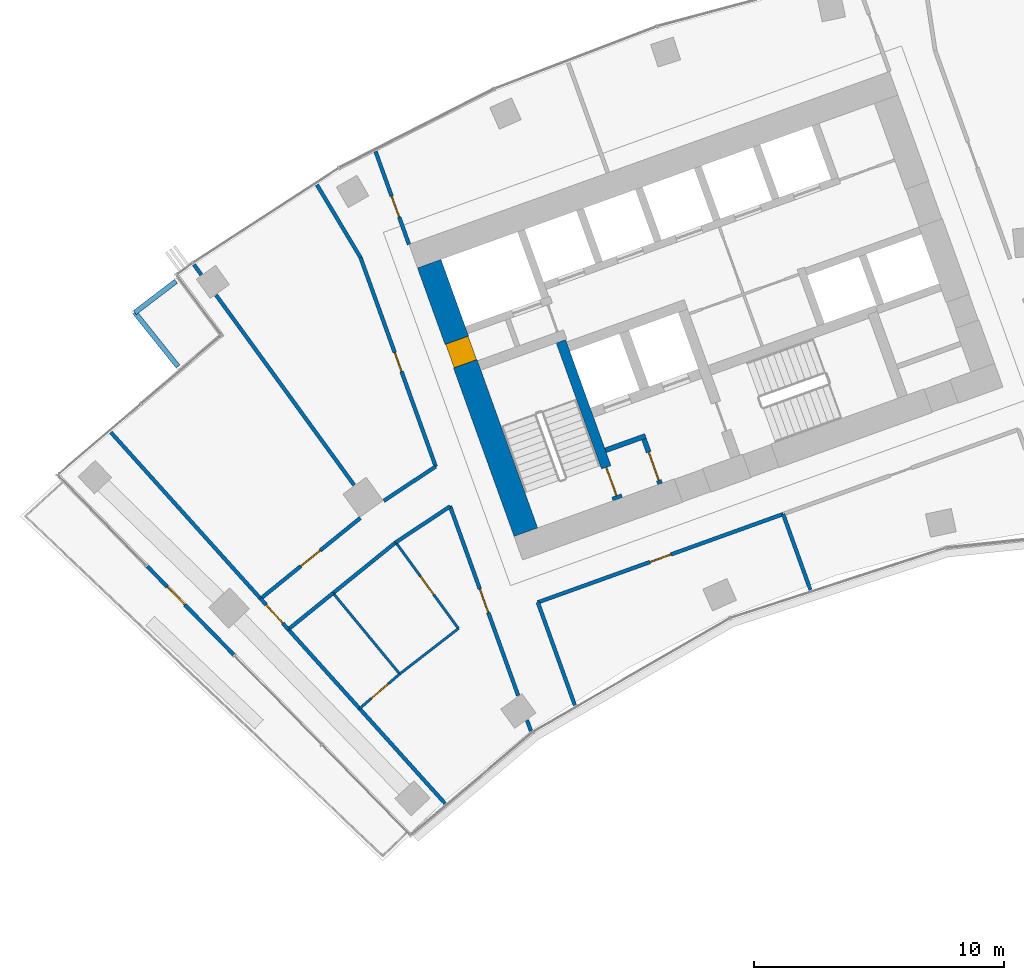
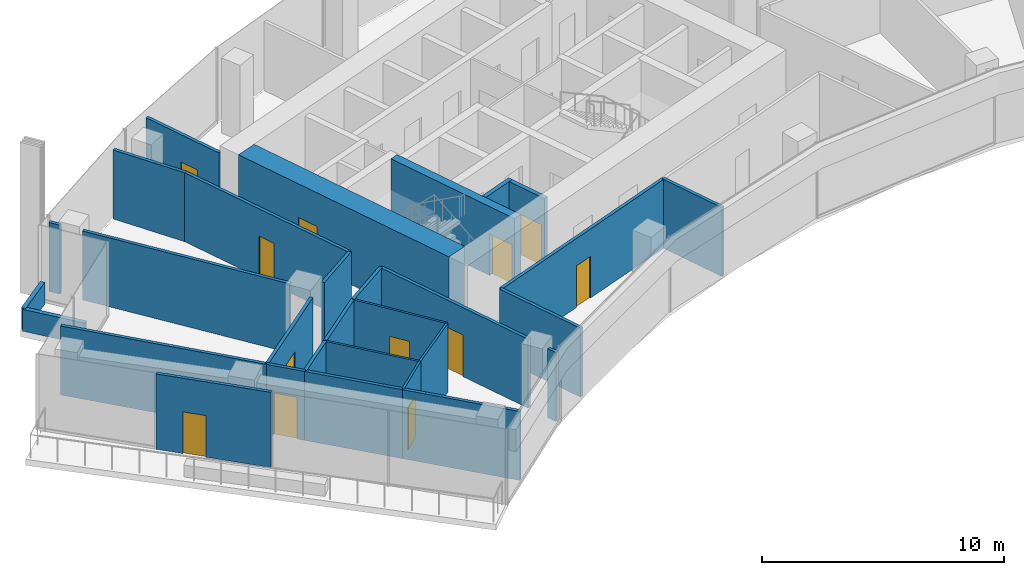
# One storey, part 12 of 20: 30 walls, 12 doors, 12 openings.
"""IFC4 building model written with IfcOpenShell, lengths in metres."""

from ifc_helpers import new_model, si_unit, direction, frame, frame_2d, origin, place, context, subcontext, project, spatial, rectangle, extrude, material, layer, layer_set, type_object, element, fill, save


model = new_model("IFC4")

# Units and contexts
model_context = context("Model", 3, precision=1e-05, world=origin(), true_north=direction((0.0, 1.0)))
body_context = subcontext(model_context, "Body", "Model", "MODEL_VIEW")
ifc_project = project(units=[si_unit("LENGTHUNIT", "METRE"), si_unit("AREAUNIT", "SQUARE_METRE"), si_unit("VOLUMEUNIT", "CUBIC_METRE"), si_unit("PLANEANGLEUNIT", "RADIAN"), si_unit("MASSUNIT", "GRAM", prefix="KILO")], contexts=[model_context])

# Site, building, storey
site_placement = place(None, origin())
site = spatial("IfcSite", under=ifc_project, at=site_placement, CompositionType="ELEMENT")
building_placement = place(site_placement, origin())
building = spatial("IfcBuilding", under=site, at=building_placement, Name="Stone Belt Terrace Tower", CompositionType="ELEMENT")
storey_placement = place(building_placement, frame((0.0, 0.0, 216.199951171875)))
storey = spatial("IfcBuildingStorey", under=building, at=storey_placement, Name="L52", CompositionType="ELEMENT", Elevation=216.199951171875)

# Wall, opening, door
ifc_material_1 = material(Name="Terracotta coloured glazed ceramic", Category="masonry")
ifc_layer_1 = layer(ifc_material_1, 0.14990234375)
ifc_layer_set_1 = layer_set([ifc_layer_1], Name="Ceramic rain-screen wall 150")
wall_type_1 = type_object("IfcWallType", Name="Ceramic rain-screen wall 150", PredefinedType="SOLIDWALL", material=ifc_layer_set_1)
wall_1_placement = place(storey_placement, frame((-40.947021484375, 41.73828125, 0.0), z_axis=(0.0, 0.0, 1.0), x_axis=(0.699405042801, -0.714725532009, 0.0)))
wall_1 = element("IfcWall", 1, at=wall_1_placement, inside=storey, type_object=wall_type_1, Name="Door wall L52", PredefinedType="SOLIDWALL", context=body_context, shape_type="SweptSolid", body=[
    extrude(rectangle(XDim=4.93994140625, YDim=0.14990234375, at=frame_2d((2.469970703125, 0.0))), origin(), (0.0, 0.0, 1.0), 3.800048828125),
])
opening_1_placement = place(wall_1_placement, frame((1.14990234375, 0.0, 0.0)))
opening_1 = element("IfcOpeningElement", 2, at=opening_1_placement, cuts=wall_1, Name="Opening L52-E01", PredefinedType="OPENING", context=body_context, shape_type="SweptSolid", body=[
    extrude(rectangle(XDim=1.0, YDim=2.10009765625, at=frame_2d((0.5, 1.050048828125))), frame((0.0, 0.0849609375, 0.0), z_axis=(0.0, -1.0, 0.0), x_axis=(1.0, 0.0, 0.0)), (0.0, 0.0, 1.0), 0.169921875),
])
ifc_material_2 = material(Name="Anodised aluminium glazed door", Category="aluminium")
door_type_1 = type_object("IfcDoorType", Name="Terrace door 1000 x 2100", OperationType="NOTDEFINED", PredefinedType="DOOR", material=ifc_material_2)
door_1_placement = place(opening_1_placement, origin())
door_1 = element("IfcDoor", 3, at=door_1_placement, inside=storey, type_object=door_type_1, Name="Terrace door L52", OperationType="SINGLE_SWING_RIGHT", OverallHeight=2.10009765625, OverallWidth=1.0, PredefinedType="DOOR", context=body_context, shape_type="SweptSolid", body=[
    extrude(rectangle(XDim=1.0, YDim=2.10009765625, at=frame_2d((0.5, 1.050048828125))), frame((0.0, 0.02490234375, 0.0), z_axis=(0.0, -1.0, 0.0), x_axis=(1.0, 0.0, 0.0)), (0.0, 0.0, 1.0), 0.050048828125),
])
fill(opening_1, door_1)

ifc_material_3 = material(Name="Concrete B60", Category="concrete")
ifc_layer_2 = layer(ifc_material_3, 1.0)
ifc_layer_set_2 = layer_set([ifc_layer_2], Name="Core wall 1000 B60")
wall_type_2 = type_object("IfcWallType", Name="Core wall 1000 B60", PredefinedType="SHEAR", material=ifc_layer_set_2)
wall_2_placement = place(storey_placement, frame((-25.821044921875, 43.102783203125, 0.0), z_axis=(0.0, 0.0, 1.0), x_axis=(-0.338625431531, 0.940921259788, 0.0)))
wall_2 = element("IfcWall", 4, at=wall_2_placement, inside=storey, type_object=wall_type_2, Name="Core A wall end_a L52", PredefinedType="SHEAR", context=body_context, shape_type="SweptSolid", body=[
    extrude(rectangle(XDim=11.400146484375, YDim=1.0, at=frame_2d((5.7001953125, 0.0))), origin(), (0.0, 0.0, 1.0), 3.800048828125),
])
opening_2_placement = place(wall_2_placement, frame((7.14990234375, 0.0, 0.0)))
opening_2 = element("IfcOpeningElement", 5, at=opening_2_placement, cuts=wall_2, Name="Opening L52-C04", PredefinedType="OPENING", context=body_context, shape_type="SweptSolid", body=[
    extrude(rectangle(XDim=1.0, YDim=2.10009765625, at=frame_2d((0.5, 1.050048828125))), frame((0.0, 0.510009765625, 0.0), z_axis=(0.0, -1.0, 0.0), x_axis=(1.0, 0.0, 0.0)), (0.0, 0.0, 1.0), 1.02001953125),
])
ifc_material_4 = material(Name="Timber door leaf", Category="wood")
door_type_2 = type_object("IfcDoorType", Name="Core room door 1000", OperationType="SINGLE_SWING_LEFT", PredefinedType="DOOR", material=ifc_material_4)
door_2_placement = place(opening_2_placement, origin())
door_2 = element("IfcDoor", 6, at=door_2_placement, inside=storey, type_object=door_type_2, Name="Door to Telecommunications riser room core A", OperationType="SINGLE_SWING_LEFT", OverallHeight=2.10009765625, OverallWidth=1.0, PredefinedType="DOOR", context=body_context, shape_type="SweptSolid", body=[
    extrude(rectangle(XDim=1.0, YDim=2.10009765625, at=frame_2d((0.5, 1.050048828125))), frame((0.0, 0.47021484375, 0.0), z_axis=(0.0, -1.0, 0.0), x_axis=(1.0, 0.0, 0.0)), (0.0, 0.0, 1.0), 0.949951171875),
])
fill(opening_2, door_2)

ifc_material_5 = material(Name="Gypsum board partition")
ifc_layer_3 = layer(ifc_material_5, 0.10009765625)
ifc_layer_set_3 = layer_set([ifc_layer_3], Name="PARTITION 100")
wall_type_3 = type_object("IfcWallType", Name="PARTITION 100", PredefinedType="PARTITIONING", material=ifc_layer_set_3)
wall_3_placement = place(storey_placement, frame((-32.465087890625, 36.055908203125, 0.0), z_axis=(0.0, 0.0, 1.0), x_axis=(0.75756921421, 0.652754843476, 0.0)))
wall_3 = element("IfcWall", 7, at=wall_3_placement, inside=storey, type_object=wall_type_3, Name="L52/wall/i041", PredefinedType="PARTITIONING", context=body_context, shape_type="SweptSolid", body=[
    extrude(rectangle(XDim=2.1171875, YDim=0.10009765625, at=frame_2d((1.05859375, 0.0))), origin(), (0.0, 0.0, 1.0), 3.47998046875),
])
opening_3_placement = place(wall_3_placement, frame((0.608642578125, 0.0, 0.0)))
opening_3 = element("IfcOpeningElement", 8, at=opening_3_placement, cuts=wall_3, Name="Opening D-D3-11", PredefinedType="OPENING", context=body_context, shape_type="SweptSolid", body=[
    extrude(rectangle(XDim=0.89990234375, YDim=2.10009765625, at=frame_2d((0.449951171875, 1.050048828125))), frame((0.0, 0.06005859375, 0.0), z_axis=(0.0, -1.0, 0.0), x_axis=(1.0, 0.0, 0.0)), (0.0, 0.0, 1.0), 0.1201171875),
])
door_type_3 = type_object("IfcDoorType", Name="OFFICE DOOR 900 X 2100", OperationType="NOTDEFINED", PredefinedType="DOOR", material=ifc_material_4)
door_3_placement = place(opening_3_placement, origin())
door_3 = element("IfcDoor", 9, at=door_3_placement, inside=storey, type_object=door_type_3, Name="L52/door/i11", OperationType="SINGLE_SWING_RIGHT", OverallHeight=2.10009765625, OverallWidth=0.89990234375, PredefinedType="DOOR", context=body_context, shape_type="SweptSolid", body=[
    extrude(rectangle(XDim=0.89990234375, YDim=2.10009765625, at=frame_2d((0.449951171875, 1.050048828125))), frame((0.0, 0.02490234375, 0.0), z_axis=(0.0, -1.0, 0.0), x_axis=(1.0, 0.0, 0.0)), (0.0, 0.0, 1.0), 0.050048828125),
])
fill(opening_3, door_3)

# Wall
wall_4_placement = place(storey_placement, frame((-30.861083984375, 37.43798828125, 0.0), z_axis=(0.0, 0.0, 1.0), x_axis=(0.790721134515, 0.612176516562, 0.0)))
element("IfcWall", 10, at=wall_4_placement, inside=storey, type_object=wall_type_3, Name="L52/wall/i042", PredefinedType="PARTITIONING", context=body_context, shape_type="SweptSolid", body=[
    extrude(rectangle(XDim=2.963134765625, YDim=0.10009765625, at=frame_2d((1.4814453125, 0.0))), origin(), (0.0, 0.0, 1.0), 3.47998046875),
])

# Wall, opening, door
wall_5_placement = place(storey_placement, frame((-28.51708984375, 39.2529296875, 0.0), z_axis=(0.0, 0.0, 1.0), x_axis=(-0.587735122858, 0.809053413169, 0.0)))
wall_5 = element("IfcWall", 11, at=wall_5_placement, inside=storey, type_object=wall_type_3, Name="L52/wall/i043", PredefinedType="PARTITIONING", context=body_context, shape_type="SweptSolid", body=[
    extrude(rectangle(XDim=4.2568359375, YDim=0.10009765625, at=frame_2d((2.12841796875, 0.0))), origin(), (0.0, 0.0, 1.0), 3.47998046875),
])
opening_4_placement = place(wall_5_placement, frame((1.678466796875, 0.0, 0.0)))
opening_4 = element("IfcOpeningElement", 12, at=opening_4_placement, cuts=wall_5, Name="Opening D-D3-12", PredefinedType="OPENING", context=body_context, shape_type="SweptSolid", body=[
    extrude(rectangle(XDim=0.89990234375, YDim=2.10009765625, at=frame_2d((0.449951171875, 1.050048828125))), frame((0.0, 0.06005859375, 0.0), z_axis=(0.0, -1.0, 0.0), x_axis=(1.0, 0.0, 0.0)), (0.0, 0.0, 1.0), 0.1201171875),
])
door_4_placement = place(opening_4_placement, origin())
door_4 = element("IfcDoor", 13, at=door_4_placement, inside=storey, type_object=door_type_3, Name="L52/door/i12", OperationType="SINGLE_SWING_RIGHT", OverallHeight=2.10009765625, OverallWidth=0.89990234375, PredefinedType="DOOR", context=body_context, shape_type="SweptSolid", body=[
    extrude(rectangle(XDim=0.89990234375, YDim=2.10009765625, at=frame_2d((0.449951171875, 1.050048828125))), frame((0.0, 0.02490234375, 0.0), z_axis=(0.0, -1.0, 0.0), x_axis=(1.0, 0.0, 0.0)), (0.0, 0.0, 1.0), 0.050048828125),
])
fill(opening_4, door_4)

# Walls
wall_6_placement = place(storey_placement, frame((-33.52392578125, 40.66796875, 0.0), z_axis=(0.0, 0.0, 1.0), x_axis=(0.636113972955, -0.771595109764, 0.0)))
element("IfcWall", 14, at=wall_6_placement, inside=storey, type_object=wall_type_3, Name="L52/wall/i044", PredefinedType="PARTITIONING", context=body_context, shape_type="SweptSolid", body=[
    extrude(rectangle(XDim=4.18603515625, YDim=0.10009765625, at=frame_2d((2.093017578125, 0.0))), origin(), (0.0, 0.0, 1.0), 3.47998046875),
])
ifc_layer_4 = layer(ifc_material_5, 0.14990234375)
ifc_layer_set_4 = layer_set([ifc_layer_4], Name="PARTITION 150 EI 60")
wall_type_4 = type_object("IfcWallType", Name="PARTITION 150 EI 60", PredefinedType="PARTITIONING", material=ifc_layer_set_4)
wall_7_placement = place(storey_placement, frame((-25.344970703125, 40.304931640625, 0.0), z_axis=(0.0, 0.0, 1.0), x_axis=(0.338603151709, -0.94092927771, 0.0)))
element("IfcWall", 15, at=wall_7_placement, inside=storey, type_object=wall_type_4, Name="L52/wall/i001", PredefinedType="PARTITIONING", context=body_context, shape_type="SweptSolid", body=[
    extrude(rectangle(XDim=4.38525390625, YDim=0.14990234375, at=frame_2d((2.192626953125, 0.0))), origin(), (0.0, 0.0, 1.0), 3.47998046875),
])

# Wall, opening, door
wall_8_placement = place(storey_placement, frame((-31.826904296875, 58.314208984375, 0.0), z_axis=(0.0, 0.0, 1.0), x_axis=(0.338542007836, -0.940951278723, 0.0)))
wall_8 = element("IfcWall", 16, at=wall_8_placement, inside=storey, type_object=wall_type_4, Name="L52/wall/i002", PredefinedType="PARTITIONING", context=body_context, shape_type="SweptSolid", body=[
    extrude(rectangle(XDim=3.946044921875, YDim=0.14990234375, at=frame_2d((1.97314453125, 0.0))), origin(), (0.0, 0.0, 1.0), 3.47998046875),
])
opening_5_placement = place(wall_8_placement, frame((1.889892578125, 0.0, 0.0)))
opening_5 = element("IfcOpeningElement", 17, at=opening_5_placement, cuts=wall_8, Name="Opening D-D3-03", PredefinedType="OPENING", context=body_context, shape_type="SweptSolid", body=[
    extrude(rectangle(XDim=0.89990234375, YDim=2.10009765625, at=frame_2d((0.449951171875, 1.050048828125))), frame((0.0, 0.0849609375, 0.0), z_axis=(0.0, -1.0, 0.0), x_axis=(1.0, 0.0, 0.0)), (0.0, 0.0, 1.0), 0.169921875),
])
door_5_placement = place(opening_5_placement, origin())
door_5 = element("IfcDoor", 18, at=door_5_placement, inside=storey, type_object=door_type_3, Name="L52/door/i03", OperationType="SINGLE_SWING_RIGHT", OverallHeight=2.10009765625, OverallWidth=0.89990234375, PredefinedType="DOOR", context=body_context, shape_type="SweptSolid", body=[
    extrude(rectangle(XDim=0.89990234375, YDim=2.10009765625, at=frame_2d((0.449951171875, 1.050048828125))), frame((0.0, 0.02490234375, 0.0), z_axis=(0.0, -1.0, 0.0), x_axis=(1.0, 0.0, 0.0)), (0.0, 0.0, 1.0), 0.050048828125),
])
fill(opening_5, door_5)

# Wall
wall_9_placement = place(storey_placement, frame((-25.619140625, 35.159912109375, 0.0), z_axis=(0.0, 0.0, 1.0), x_axis=(-0.338377097513, 0.941010594988, 0.0)))
element("IfcWall", 19, at=wall_9_placement, inside=storey, type_object=wall_type_4, Name="L52/wall/i003", PredefinedType="PARTITIONING", context=body_context, shape_type="SweptSolid", body=[
    extrude(rectangle(XDim=0.45458984375, YDim=0.14990234375, at=frame_2d((0.227294921875, 0.0))), origin(), (0.0, 0.0, 1.0), 3.47998046875),
])

# Wall, opening, door
wall_10_placement = place(storey_placement, frame((-26.129150390625, 36.577392578125, 0.0), z_axis=(0.0, 0.0, 1.0), x_axis=(-0.338625862553, 0.940921104668, 0.0)))
wall_10 = element("IfcWall", 20, at=wall_10_placement, inside=storey, type_object=wall_type_4, Name="L52/wall/i004", PredefinedType="PARTITIONING", context=body_context, shape_type="SweptSolid", body=[
    extrude(rectangle(XDim=8.03515625, YDim=0.14990234375, at=frame_2d((4.017578125, 0.0))), origin(), (0.0, 0.0, 1.0), 3.47998046875),
])
opening_6_placement = place(wall_10_placement, frame((3.517578125, 0.0, 0.0)))
opening_6 = element("IfcOpeningElement", 21, at=opening_6_placement, cuts=wall_10, Name="Opening D-D3-10", PredefinedType="OPENING", context=body_context, shape_type="SweptSolid", body=[
    extrude(rectangle(XDim=1.0, YDim=2.10009765625, at=frame_2d((0.5, 1.050048828125))), frame((0.0, 0.0849609375, 0.0), z_axis=(0.0, -1.0, 0.0), x_axis=(1.0, 0.0, 0.0)), (0.0, 0.0, 1.0), 0.169921875),
])
ifc_material_6 = material(Name="Timber fire door leaf", Category="wood")
door_type_4 = type_object("IfcDoorType", Name="TENANCY ENTRANCE DOOR 1000 X 2100", OperationType="NOTDEFINED", PredefinedType="DOOR", material=ifc_material_6)
door_6_placement = place(opening_6_placement, origin())
door_6 = element("IfcDoor", 22, at=door_6_placement, inside=storey, type_object=door_type_4, Name="L52/door/i10", OperationType="SINGLE_SWING_RIGHT", OverallHeight=2.10009765625, OverallWidth=1.0, PredefinedType="DOOR", context=body_context, shape_type="SweptSolid", body=[
    extrude(rectangle(XDim=1.0, YDim=2.10009765625, at=frame_2d((0.5, 1.050048828125))), frame((0.0, 0.02490234375, 0.0), z_axis=(0.0, -1.0, 0.0), x_axis=(1.0, 0.0, 0.0)), (0.0, 0.0, 1.0), 0.050048828125),
])
fill(opening_6, door_6)

wall_11_placement = place(storey_placement, frame((-29.4208984375, 45.721923828125, 0.0), z_axis=(0.0, 0.0, 1.0), x_axis=(-0.338648394699, 0.940912995323, 0.0)))
wall_11 = element("IfcWall", 23, at=wall_11_placement, inside=storey, type_object=wall_type_4, Name="L52/wall/i005", PredefinedType="PARTITIONING", context=body_context, shape_type="SweptSolid", body=[
    extrude(rectangle(XDim=8.879638671875, YDim=0.14990234375, at=frame_2d((4.43994140625, 0.0))), origin(), (0.0, 0.0, 1.0), 3.47998046875),
])
opening_7_placement = place(wall_11_placement, frame((4.039794921875, 0.0, 0.0)))
opening_7 = element("IfcOpeningElement", 24, at=opening_7_placement, cuts=wall_11, Name="Opening D-D3-13", PredefinedType="OPENING", context=body_context, shape_type="SweptSolid", body=[
    extrude(rectangle(XDim=0.800048828125, YDim=2.10009765625, at=frame_2d((0.39990234375, 1.050048828125))), frame((0.0, 0.0849609375, 0.0), z_axis=(0.0, -1.0, 0.0), x_axis=(1.0, 0.0, 0.0)), (0.0, 0.0, 1.0), 0.169921875),
])
door_type_5 = type_object("IfcDoorType", Name="STORE DOOR 800 X 2100", OperationType="NOTDEFINED", PredefinedType="DOOR", material=ifc_material_4)
door_7_placement = place(opening_7_placement, origin())
door_7 = element("IfcDoor", 25, at=door_7_placement, inside=storey, type_object=door_type_5, Name="L52/door/i13", OperationType="SINGLE_SWING_LEFT", OverallHeight=2.10009765625, OverallWidth=0.800048828125, PredefinedType="DOOR", context=body_context, shape_type="SweptSolid", body=[
    extrude(rectangle(XDim=0.800048828125, YDim=2.10009765625, at=frame_2d((0.39990234375, 1.050048828125))), frame((0.0, 0.02490234375, 0.0), z_axis=(0.0, -1.0, 0.0), x_axis=(1.0, 0.0, 0.0)), (0.0, 0.0, 1.0), 0.050048828125),
])
fill(opening_7, door_7)

# Wall
wall_12_placement = place(storey_placement, frame((-32.427978515625, 54.076904296875, 0.0), z_axis=(0.0, 0.0, 1.0), x_axis=(-0.514199724078, 0.857670475042, 0.0)))
element("IfcWall", 26, at=wall_12_placement, inside=storey, type_object=wall_type_4, Name="L52/wall/i006", PredefinedType="PARTITIONING", context=body_context, shape_type="SweptSolid", body=[
    extrude(rectangle(XDim=3.396240234375, YDim=0.14990234375, at=frame_2d((1.6982421875, 0.0))), origin(), (0.0, 0.0, 1.0), 3.47998046875),
])

# Wall, opening, door
wall_13_placement = place(storey_placement, frame((-15.537109375, 43.827880859375, 0.0), z_axis=(0.0, 0.0, 1.0), x_axis=(-0.940927721448, -0.338607476306, 0.0)))
wall_13 = element("IfcWall", 27, at=wall_13_placement, inside=storey, type_object=wall_type_4, Name="L52/wall/i012", PredefinedType="PARTITIONING", context=body_context, shape_type="SweptSolid", body=[
    extrude(rectangle(XDim=10.421630859375, YDim=0.14990234375, at=frame_2d((5.2109375, 0.0))), origin(), (0.0, 0.0, 1.0), 3.47998046875),
])
opening_8_placement = place(wall_13_placement, frame((4.7607421875, 0.0, 0.0)))
opening_8 = element("IfcOpeningElement", 28, at=opening_8_placement, cuts=wall_13, Name="Opening D-D3-01", PredefinedType="OPENING", context=body_context, shape_type="SweptSolid", body=[
    extrude(rectangle(XDim=0.89990234375, YDim=2.10009765625, at=frame_2d((0.449951171875, 1.050048828125))), frame((0.0, 0.0849609375, 0.0), z_axis=(0.0, -1.0, 0.0), x_axis=(1.0, 0.0, 0.0)), (0.0, 0.0, 1.0), 0.169921875),
])
door_8_placement = place(opening_8_placement, origin())
door_8 = element("IfcDoor", 29, at=door_8_placement, inside=storey, type_object=door_type_3, Name="L52/door/i01", OperationType="SINGLE_SWING_RIGHT", OverallHeight=2.10009765625, OverallWidth=0.89990234375, PredefinedType="DOOR", context=body_context, shape_type="SweptSolid", body=[
    extrude(rectangle(XDim=0.89990234375, YDim=2.10009765625, at=frame_2d((0.449951171875, 1.050048828125))), frame((0.0, 0.02490234375, 0.0), z_axis=(0.0, -1.0, 0.0), x_axis=(1.0, 0.0, 0.0)), (0.0, 0.0, 1.0), 0.050048828125),
])
fill(opening_8, door_8)

# Wall
wall_14_placement = place(storey_placement, frame((-15.54296875, 43.825927734375, 0.0), z_axis=(0.0, 0.0, 1.0), x_axis=(0.338427160109, -0.940992591523, 0.0)))
element("IfcWall", 30, at=wall_14_placement, inside=storey, type_object=wall_type_4, Name="L52/wall/i014", PredefinedType="PARTITIONING", context=body_context, shape_type="SweptSolid", body=[
    extrude(rectangle(XDim=3.223876953125, YDim=0.14990234375, at=frame_2d((1.61181640625, 0.0))), origin(), (0.0, 0.0, 1.0), 3.47998046875),
])

# Wall, opening, door
wall_15_placement = place(storey_placement, frame((-35.30908203125, 39.214111328125, 0.0), z_axis=(0.0, 0.0, 1.0), x_axis=(-0.668818666109, 0.743425579237, 0.0)))
wall_15 = element("IfcWall", 31, at=wall_15_placement, inside=storey, type_object=wall_type_4, Name="L52/wall/i032", PredefinedType="PARTITIONING", context=body_context, shape_type="SweptSolid", body=[
    extrude(rectangle(XDim=1.662353515625, YDim=0.14990234375, at=frame_2d((0.8310546875, 0.0))), origin(), (0.0, 0.0, 1.0), 3.47998046875),
])
opening_9_placement = place(wall_15_placement, frame((0.331298828125, 0.0, 0.0)))
opening_9 = element("IfcOpeningElement", 32, at=opening_9_placement, cuts=wall_15, Name="Opening D-D3-09", PredefinedType="OPENING", context=body_context, shape_type="SweptSolid", body=[
    extrude(rectangle(XDim=1.0, YDim=2.10009765625, at=frame_2d((0.5, 1.050048828125))), frame((0.0, 0.0849609375, 0.0), z_axis=(0.0, -1.0, 0.0), x_axis=(1.0, 0.0, 0.0)), (0.0, 0.0, 1.0), 0.169921875),
])
door_9_placement = place(opening_9_placement, origin())
door_9 = element("IfcDoor", 33, at=door_9_placement, inside=storey, type_object=door_type_4, Name="L52/door/i09", OperationType="SINGLE_SWING_RIGHT", OverallHeight=2.10009765625, OverallWidth=1.0, PredefinedType="DOOR", context=body_context, shape_type="SweptSolid", body=[
    extrude(rectangle(XDim=1.0, YDim=2.10009765625, at=frame_2d((0.5, 1.050048828125))), frame((0.0, 0.02490234375, 0.0), z_axis=(0.0, -1.0, 0.0), x_axis=(1.0, 0.0, 0.0)), (0.0, 0.0, 1.0), 0.050048828125),
])
fill(opening_9, door_9)

# Walls
wall_16_placement = place(storey_placement, frame((-32.468994140625, 36.06005859375, 0.0), z_axis=(0.0, 0.0, 1.0), x_axis=(0.669172895515, -0.743106745971, 0.0)))
element("IfcWall", 34, at=wall_16_placement, inside=storey, type_object=wall_type_4, Name="L52/wall/i033", PredefinedType="PARTITIONING", context=body_context, shape_type="SweptSolid", body=[
    extrude(rectangle(XDim=5.118408203125, YDim=0.14990234375, at=frame_2d((2.55908203125, 0.0))), origin(), (0.0, 0.0, 1.0), 3.47998046875),
])
wall_17_placement = place(storey_placement, frame((-35.31689453125, 39.222900390625, 0.0), z_axis=(0.0, 0.0, 1.0), x_axis=(0.669129047612, -0.743146228977, 0.0)))
element("IfcWall", 35, at=wall_17_placement, inside=storey, type_object=wall_type_4, Name="L52/wall/i034", PredefinedType="PARTITIONING", context=body_context, shape_type="SweptSolid", body=[
    extrude(rectangle(XDim=4.26806640625, YDim=0.14990234375, at=frame_2d((2.134033203125, 0.0))), origin(), (0.0, 0.0, 1.0), 3.47998046875),
])
wall_18_placement = place(storey_placement, frame((-42.406982421875, 47.097412109375, 0.0), z_axis=(0.0, 0.0, 1.0), x_axis=(0.669092727087, -0.743178930379, 0.0)))
element("IfcWall", 36, at=wall_18_placement, inside=storey, type_object=wall_type_4, Name="L52/wall/i035", PredefinedType="PARTITIONING", context=body_context, shape_type="SweptSolid", body=[
    extrude(rectangle(XDim=8.956787109375, YDim=0.14990234375, at=frame_2d((4.478515625, 0.0))), origin(), (0.0, 0.0, 1.0), 3.47998046875),
])
wall_19_placement = place(storey_placement, frame((-28.84912109375, 44.132080078125, 0.0), z_axis=(0.0, 0.0, 1.0), x_axis=(-0.834036299229, -0.551709571757, 0.0)))
element("IfcWall", 37, at=wall_19_placement, inside=storey, type_object=wall_type_4, Name="L52/wall/i036", PredefinedType="PARTITIONING", context=body_context, shape_type="SweptSolid", body=[
    extrude(rectangle(XDim=2.602783203125, YDim=0.14990234375, at=frame_2d((1.30126953125, 0.0))), origin(), (0.0, 0.0, 1.0), 3.47998046875),
])
wall_20_placement = place(storey_placement, frame((-33.52001953125, 40.672119140625, 0.0), z_axis=(0.0, 0.0, 1.0), x_axis=(-0.776890002881, -0.629636342204, 0.0)))
element("IfcWall", 38, at=wall_20_placement, inside=storey, type_object=wall_type_4, Name="L52/wall/i037", PredefinedType="PARTITIONING", context=body_context, shape_type="SweptSolid", body=[
    extrude(rectangle(XDim=2.307861328125, YDim=0.14990234375, at=frame_2d((1.15380859375, 0.0))), origin(), (0.0, 0.0, 1.0), 3.47998046875),
])
wall_21_placement = place(storey_placement, frame((-31.02001953125, 42.696044921875, 0.0), z_axis=(0.0, 0.0, 1.0), x_axis=(-0.777114544424, -0.629359185875, 0.0)))
element("IfcWall", 39, at=wall_21_placement, inside=storey, type_object=wall_type_4, Name="L52/wall/i038", PredefinedType="PARTITIONING", context=body_context, shape_type="SweptSolid", body=[
    extrude(rectangle(XDim=3.228759765625, YDim=0.14990234375, at=frame_2d((1.6142578125, 0.0))), origin(), (0.0, 0.0, 1.0), 3.47998046875),
])
wall_22_placement = place(storey_placement, frame((-31.49755859375, 44.3564453125, 0.0), z_axis=(0.0, 0.0, 1.0), x_axis=(0.834158700869, 0.551524488817, 0.0)))
element("IfcWall", 40, at=wall_22_placement, inside=storey, type_object=wall_type_4, Name="L52/wall/i039", PredefinedType="PARTITIONING", context=body_context, shape_type="SweptSolid", body=[
    extrude(rectangle(XDim=2.48681640625, YDim=0.14990234375, at=frame_2d((1.243408203125, 0.0))), origin(), (0.0, 0.0, 1.0), 3.47998046875),
])

# Wall, opening, door
wall_23_placement = place(storey_placement, frame((-36.4169921875, 40.446044921875, 0.0), z_axis=(0.0, 0.0, 1.0), x_axis=(0.777143842092, 0.629323008238, 0.0)))
wall_23 = element("IfcWall", 41, at=wall_23_placement, inside=storey, type_object=wall_type_4, Name="L52/wall/i040", PredefinedType="PARTITIONING", context=body_context, shape_type="SweptSolid", body=[
    extrude(rectangle(XDim=5.12158203125, YDim=0.14990234375, at=frame_2d((2.560791015625, 0.0))), origin(), (0.0, 0.0, 1.0), 3.47998046875),
])
opening_10_placement = place(wall_23_placement, frame((2.060791015625, 0.0, 0.0)))
opening_10 = element("IfcOpeningElement", 42, at=opening_10_placement, cuts=wall_23, Name="Opening D-D3-14", PredefinedType="OPENING", context=body_context, shape_type="SweptSolid", body=[
    extrude(rectangle(XDim=1.0, YDim=2.10009765625, at=frame_2d((0.5, 1.050048828125))), frame((0.0, 0.0849609375, 0.0), z_axis=(0.0, -1.0, 0.0), x_axis=(1.0, 0.0, 0.0)), (0.0, 0.0, 1.0), 0.169921875),
])
door_10_placement = place(opening_10_placement, origin())
door_10 = element("IfcDoor", 43, at=door_10_placement, inside=storey, type_object=door_type_4, Name="L52/door/i14", OperationType="SINGLE_SWING_RIGHT", OverallHeight=2.10009765625, OverallWidth=1.0, PredefinedType="DOOR", context=body_context, shape_type="SweptSolid", body=[
    extrude(rectangle(XDim=1.0, YDim=2.10009765625, at=frame_2d((0.5, 1.050048828125))), frame((0.0, 0.02490234375, 0.0), z_axis=(0.0, -1.0, 0.0), x_axis=(1.0, 0.0, 0.0)), (0.0, 0.0, 1.0), 0.050048828125),
])
fill(opening_10, door_10)

# Walls
wall_24_placement = place(storey_placement, frame((-32.68359375, 44.985595703125, 0.0), z_axis=(0.0, 0.0, 1.0), x_axis=(-0.587803280862, 0.809003895545, 0.0)))
element("IfcWall", 44, at=wall_24_placement, inside=storey, type_object=wall_type_4, Name="L52/wall/i045", PredefinedType="PARTITIONING", context=body_context, shape_type="SweptSolid", body=[
    extrude(rectangle(XDim=9.37939453125, YDim=0.14990234375, at=frame_2d((4.689697265625, 0.0))), origin(), (0.0, 0.0, 1.0), 3.47998046875),
])
wall_25_placement = place(storey_placement, frame((-38.790283203125, 53.390625, 0.0), z_axis=(0.0, 0.0, 1.0), x_axis=(-0.588200388098, 0.808715217763, 0.0)))
element("IfcWall", 45, at=wall_25_placement, inside=storey, type_object=wall_type_4, Name="L52/wall/i046", PredefinedType="PARTITIONING", context=body_context, shape_type="SweptSolid", body=[
    extrude(rectangle(XDim=0.505859375, YDim=0.14990234375, at=frame_2d((0.2529296875, 0.0))), origin(), (0.0, 0.0, 1.0), 3.47998046875),
])
ifc_material_7 = material(Name="Concrete masonry block", Category="masonry")
ifc_layer_5 = layer(ifc_material_7, 0.199951171875)
ifc_layer_set_5 = layer_set([ifc_layer_5], Name="Rated lobby wall 200")
wall_type_5 = type_object("IfcWallType", Name="Rated lobby wall 200", PredefinedType="PARTITIONING", material=ifc_layer_set_5)
wall_26_placement = place(storey_placement, frame((-22.640625, 46.373046875, 0.0), z_axis=(0.0, 0.0, 1.0), x_axis=(0.940966110313, 0.338500781747, 0.0)))
element("IfcWall", 46, at=wall_26_placement, inside=storey, type_object=wall_type_5, Name="Core A wall", PredefinedType="PARTITIONING", context=body_context, shape_type="SweptSolid", body=[
    extrude(rectangle(XDim=1.699951171875, YDim=0.199951171875, at=frame_2d((0.85009765625, 0.0))), origin(), (0.0, 0.0, 1.0), 3.47998046875),
])

# Wall, opening, door
wall_27_placement = place(storey_placement, frame((-20.4580078125, 45.032958984375, 0.0), z_axis=(0.0, 0.0, 1.0), x_axis=(-0.338573865316, 0.940939816208, 0.0)))
wall_27 = element("IfcWall", 47, at=wall_27_placement, inside=storey, type_object=wall_type_5, Name="Core A wall", PredefinedType="PARTITIONING", context=body_context, shape_type="SweptSolid", body=[
    extrude(rectangle(XDim=1.900146484375, YDim=0.199951171875, at=frame_2d((0.9501953125, 0.0))), origin(), (0.0, 0.0, 1.0), 3.47998046875),
])
opening_11_placement = place(wall_27_placement, frame((0.14990234375, 0.0, 0.0)))
opening_11 = element("IfcOpeningElement", 48, at=opening_11_placement, cuts=wall_27, Name="Opening L52-C09", PredefinedType="OPENING", context=body_context, shape_type="SweptSolid", body=[
    extrude(rectangle(XDim=1.199951171875, YDim=2.10009765625, at=frame_2d((0.60009765625, 1.050048828125))), frame((0.0, 0.10986328125, 0.0), z_axis=(0.0, -1.0, 0.0), x_axis=(1.0, 0.0, 0.0)), (0.0, 0.0, 1.0), 0.219970703125),
])
ifc_material_8 = material(Name="Steel door leaf", Category="steel")
door_type_6 = type_object("IfcDoorType", Name="Stair door 1200", OperationType="SINGLE_SWING_LEFT", PredefinedType="DOOR", material=ifc_material_8)
door_11_placement = place(opening_11_placement, origin())
door_11 = element("IfcDoor", 49, at=door_11_placement, inside=storey, type_object=door_type_6, Name="Stair airlock door core A", OperationType="SINGLE_SWING_RIGHT", OverallHeight=2.10009765625, OverallWidth=1.199951171875, PredefinedType="DOOR", context=body_context, shape_type="SweptSolid", body=[
    extrude(rectangle(XDim=1.199951171875, YDim=2.10009765625, at=frame_2d((0.60009765625, 1.050048828125))), frame((0.0, 0.02490234375, 0.0), z_axis=(0.0, -1.0, 0.0), x_axis=(1.0, 0.0, 0.0)), (0.0, 0.0, 1.0), 0.050048828125),
])
fill(opening_11, door_11)

# Walls
ifc_material_9 = material(Name="Precast concrete C40/50", Category="concrete")
ifc_layer_6 = layer(ifc_material_9, 0.199951171875)
ifc_layer_set_6 = layer_set([ifc_layer_6], Name="Roof parapet 200 x 1100")
wall_type_6 = type_object("IfcWallType", Name="Roof parapet 200 x 1100", PredefinedType="PARAPET", material=ifc_layer_set_6)
wall_28_placement = place(storey_placement, frame((-41.443115234375, 51.8759765625, 0.0), z_axis=(0.0, 0.0, 1.0), x_axis=(0.625266905313, -0.780410979625, 0.0)))
element("IfcWall", 50, at=wall_28_placement, inside=storey, type_object=wall_type_6, Name="PARAPET L52", PredefinedType="PARAPET", context=body_context, shape_type="SweptSolid", body=[
    extrude(rectangle(XDim=2.758544921875, YDim=0.199951171875, at=frame_2d((1.37939453125, 0.0))), origin(), (0.0, 0.0, 1.0), 1.10009765625),
])
wall_29_placement = place(storey_placement, frame((-39.802490234375, 53.12841796875, 0.0), z_axis=(0.0, 0.0, 1.0), x_axis=(-0.79486116627, -0.606791336751, 0.0)))
element("IfcWall", 51, at=wall_29_placement, inside=storey, type_object=wall_type_6, Name="PARAPET L52", PredefinedType="PARAPET", context=body_context, shape_type="SweptSolid", body=[
    extrude(rectangle(XDim=2.06396484375, YDim=0.199951171875, at=frame_2d((1.031982421875, 0.0))), origin(), (0.0, 0.0, 1.0), 1.10009765625),
])

# Wall, opening, door
ifc_material_10 = material(Name="Concrete B80", Category="concrete")
ifc_layer_7 = layer(ifc_material_10, 0.39990234375)
ifc_layer_set_7 = layer_set([ifc_layer_7], Name="Stair enclosure wall 400")
wall_type_7 = type_object("IfcWallType", Name="Stair enclosure wall 400", PredefinedType="SHEAR", material=ifc_layer_set_7)
wall_30_placement = place(storey_placement, frame((-22.151611328125, 44.42333984375, 0.0), z_axis=(0.0, 0.0, 1.0), x_axis=(-0.338625272931, 0.940921316866, 0.0)))
wall_30 = element("IfcWall", 52, at=wall_30_placement, inside=storey, type_object=wall_type_7, Name="Core A wall", PredefinedType="SHEAR", context=body_context, shape_type="SweptSolid", body=[
    extrude(rectangle(XDim=6.699951171875, YDim=0.39990234375, at=frame_2d((3.35009765625, 0.0))), origin(), (0.0, 0.0, 1.0), 3.47998046875),
])
opening_12_placement = place(wall_30_placement, frame((0.14990234375, 0.0, 0.0)))
opening_12 = element("IfcOpeningElement", 53, at=opening_12_placement, cuts=wall_30, Name="Opening L52-C08", PredefinedType="OPENING", context=body_context, shape_type="SweptSolid", body=[
    extrude(rectangle(XDim=1.199951171875, YDim=2.10009765625, at=frame_2d((0.60009765625, 1.050048828125))), frame((0.0, 0.2099609375, 0.0), z_axis=(0.0, -1.0, 0.0), x_axis=(1.0, 0.0, 0.0)), (0.0, 0.0, 1.0), 0.419921875),
])
door_12_placement = place(opening_12_placement, origin())
door_12 = element("IfcDoor", 54, at=door_12_placement, inside=storey, type_object=door_type_6, Name="Stair 1 door core A", OperationType="SINGLE_SWING_RIGHT", OverallHeight=2.10009765625, OverallWidth=1.199951171875, PredefinedType="DOOR", context=body_context, shape_type="SweptSolid", body=[
    extrude(rectangle(XDim=1.199951171875, YDim=2.10009765625, at=frame_2d((0.60009765625, 1.050048828125))), frame((0.0, 0.02490234375, 0.0), z_axis=(0.0, -1.0, 0.0), x_axis=(1.0, 0.0, 0.0)), (0.0, 0.0, 1.0), 0.050048828125),
])
fill(opening_12, door_12)

save(model, "model.ifc")
